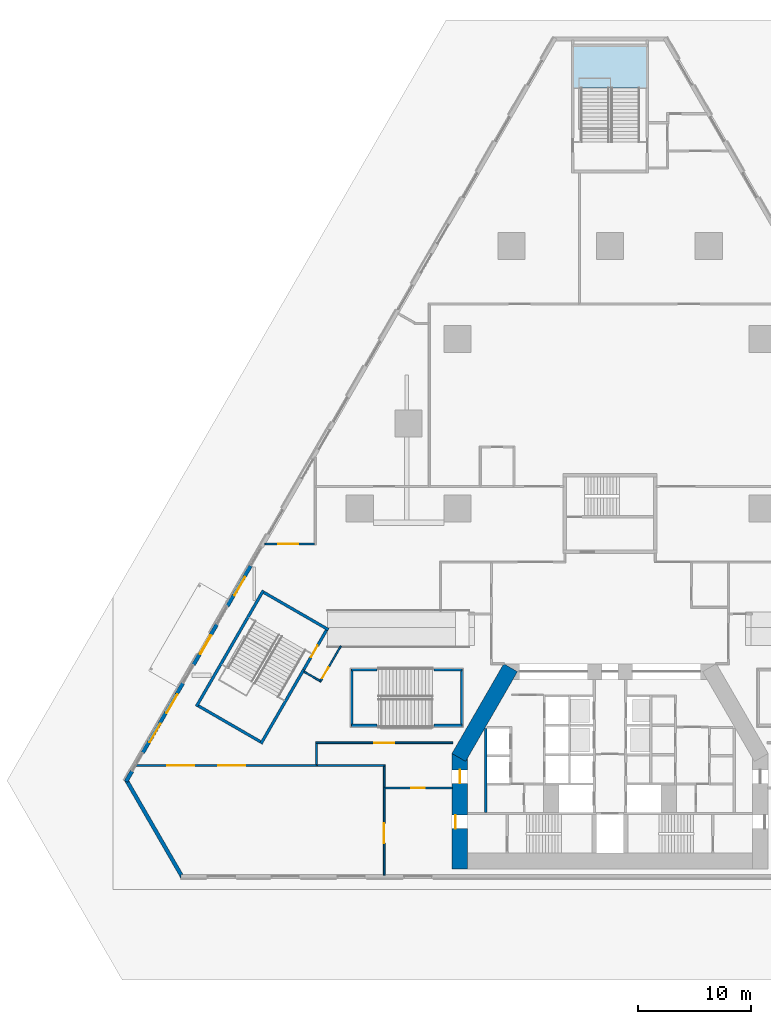
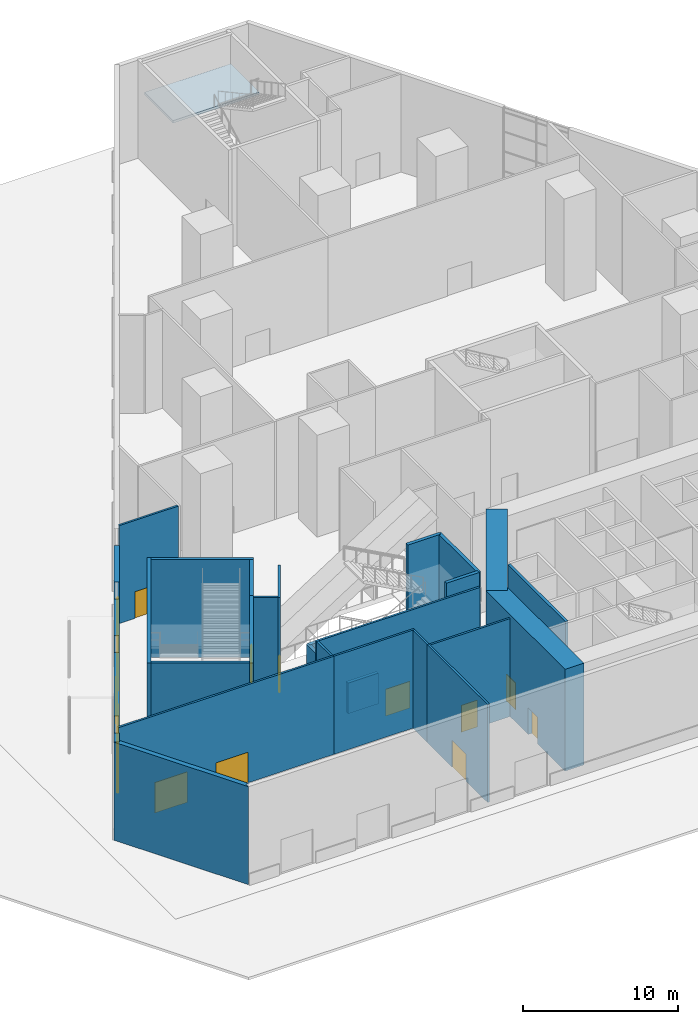
# One storey, part 11 of 24: 29 walls, 11 doors, 4 windows, 1 slab, 15 openings, 1 element without a shape of its own.
"""IFC4 building model written with IfcOpenShell, lengths in metres."""

from ifc_helpers import new_model, si_unit, direction, frame, frame_2d, origin, place, context, subcontext, project, spatial, polyline, rectangle, outline, extrude, material, layer, layer_set, type_object, element, fill, aggregate, save


model = new_model("IFC4")

# Units and contexts
model_context = context("Model", 3, precision=1e-05, world=origin(), true_north=direction((0.0, 1.0)))
body_context = subcontext(model_context, "Body", "Model", "MODEL_VIEW")
ifc_project = project(units=[si_unit("LENGTHUNIT", "METRE"), si_unit("AREAUNIT", "SQUARE_METRE"), si_unit("VOLUMEUNIT", "CUBIC_METRE"), si_unit("PLANEANGLEUNIT", "RADIAN"), si_unit("MASSUNIT", "GRAM", prefix="KILO")], contexts=[model_context])

# Site, building, storey
site_placement = place(None, origin())
site = spatial("IfcSite", under=ifc_project, at=site_placement, CompositionType="ELEMENT")
building_placement = place(site_placement, origin())
building = spatial("IfcBuilding", under=site, at=building_placement, Name="Fogline Exchange Tower", CompositionType="ELEMENT")
storey_placement = place(building_placement, origin())
storey = spatial("IfcBuildingStorey", under=building, at=storey_placement, Name="L00", CompositionType="ELEMENT", Elevation=0.0)

# Stair, slab
ifc_material_1 = material(Name="Concrete C40", Category="concrete")
stair_type = type_object("IfcStairType", Name="PSF0-46-1739", PredefinedType="HALF_TURN_STAIR", material=ifc_material_1)
stair_placement = place(storey_placement, origin())
stair = element("IfcStair", 1, at=stair_placement, inside=storey, type_object=stair_type, Name="Stair ST6", PredefinedType="HALF_TURN_STAIR")
ifc_layer_1 = layer(ifc_material_1, 0.199951171875)
ifc_layer_set_1 = layer_set([ifc_layer_1], Name="PSL1")
slab_type = type_object("IfcSlabType", Name="PSL1", PredefinedType="LANDING", material=ifc_layer_set_1)
slab_placement = place(storey_placement, frame((0.0, 0.0, 5.19140625)))
slab = element("IfcSlab", 2, at=slab_placement, type_object=slab_type, Name="ST6 landing 2", PredefinedType="LANDING", context=body_context, shape_type="SweptSolid", body=[
    extrude(outline(polyline([(-3.215087890625, 73.6650390625), (-3.215087890625, 69.98291015625), (3.215087890625, 69.98291015625), (3.215087890625, 73.6650390625), (-3.215087890625, 73.6650390625)])), origin(), (0.0, 0.0, 1.0), 0.199951171875),
])
aggregate(stair, [slab])

# Walls
ifc_layer_2 = layer(ifc_material_1, 0.199951171875)
ifc_layer_set_2 = layer_set([ifc_layer_2], Name="CW20")
wall_type_1 = type_object("IfcWallType", Name="CW20", PredefinedType="SOLIDWALL", material=ifc_layer_set_2)
wall_1_placement = place(storey_placement, frame((-11.0, 5.85009765625, 0.0), z_axis=(0.0, 0.0, 1.0), x_axis=(0.0, 1.0, 0.0)))
element("IfcWall", 3, at=wall_1_placement, inside=storey, type_object=wall_type_1, Name="Service room wall", PredefinedType="SOLIDWALL", context=body_context, shape_type="SweptSolid", body=[
    extrude(rectangle(XDim=7.39990234375, YDim=0.199951171875, at=frame_2d((3.699951171875, 0.0))), origin(), (0.0, 0.0, 1.0), 7.699951171875),
])
ifc_material_2 = material(Name="Brick masonry", Category="masonry")
ifc_layer_3 = layer(ifc_material_2, 0.340087890625)
ifc_layer_set_3 = layer_set([ifc_layer_3], Name="FW1")
wall_type_2 = type_object("IfcWallType", Name="FW1", PredefinedType="SOLIDWALL", material=ifc_layer_set_3)
wall_2_placement = place(storey_placement, origin())
element("IfcWall", 4, at=wall_2_placement, inside=storey, type_object=wall_type_2, Name="Brick wall L00 SW-c", PredefinedType="SOLIDWALL", context=body_context, shape_type="SweptSolid", body=[
    extrude(outline(polyline([(-43.000732421875, 8.661376953125), (-42.705810546875, 8.490966796875), (-42.607421875, 8.661376953125), (-37.802734375, 0.33935546875), (-37.99951171875, 0.33935546875), (-37.99951171875, -0.0009765625), (-38.0, -0.001220703125), (-43.0009765625, 8.660888671875), (-43.000732421875, 8.661376953125)])), origin(), (0.0, 0.0, 1.0), 7.699951171875),
])

# Wall, opening, window
wall_3_placement = place(storey_placement, frame((-31.823974609375, 27.677490234375, 0.0), z_axis=(0.0, 0.0, 1.0), x_axis=(-0.500044296292, -0.865999827798, 0.0)))
wall_3 = element("IfcWall", 5, at=wall_3_placement, inside=storey, type_object=wall_type_2, Name="Brick wall L00 W bay 2", PredefinedType="SOLIDWALL", context=body_context, shape_type="SweptSolid", body=[
    extrude(rectangle(XDim=4.114990234375, YDim=0.340087890625, at=frame_2d((2.0576171875, 0.0))), origin(), (0.0, 0.0, 1.0), 7.699951171875),
])
opening_1_placement = place(wall_3_placement, frame((1.114990234375, 0.0, 0.89990234375)))
opening_1 = element("IfcOpeningElement", 6, at=opening_1_placement, cuts=wall_3, Name="Opening W7", PredefinedType="OPENING", context=body_context, shape_type="SweptSolid", body=[
    extrude(rectangle(XDim=1.885009765625, YDim=3.5, at=frame_2d((0.9423828125, 1.75))), frame((0.0, 0.18017578125, 0.0), z_axis=(0.0, -1.0, 0.0), x_axis=(1.0, 0.0, 0.0)), (0.0, 0.0, 1.0), 0.360107421875),
])
ifc_material_3 = material(Name="Aluminium and glass", Category="aluminium")
window_type_1 = type_object("IfcWindowType", Name="W7", PartitioningType="SINGLE_PANEL", PredefinedType="WINDOW", material=ifc_material_3)
window_1_placement = place(opening_1_placement, origin())
window_1 = element("IfcWindow", 7, at=window_1_placement, inside=storey, type_object=window_type_1, Name="W7 W7", OverallHeight=3.5, OverallWidth=1.885009765625, PartitioningType="SINGLE_PANEL", PredefinedType="WINDOW", context=body_context, shape_type="SweptSolid", body=[
    extrude(rectangle(XDim=1.885009765625, YDim=3.5, at=frame_2d((0.9423828125, 1.75))), frame((0.0, 0.110107421875, 0.0), z_axis=(0.0, -1.0, 0.0), x_axis=(1.0, 0.0, 0.0)), (0.0, 0.0, 1.0), 0.06005859375),
])
fill(opening_1, window_1)

# Wall, openings, door, window
wall_4_placement = place(storey_placement, frame((-34.823974609375, 22.4814453125, 0.0), z_axis=(0.0, 0.0, 1.0), x_axis=(-0.500018604663, -0.866014662111, 0.0)))
wall_4 = element("IfcWall", 8, at=wall_4_placement, inside=storey, type_object=wall_type_2, Name="Brick wall L00 W bay 3", PredefinedType="SOLIDWALL", context=body_context, shape_type="SweptSolid", body=[
    extrude(rectangle(XDim=4.114990234375, YDim=0.340087890625, at=frame_2d((2.0576171875, 0.0))), origin(), (0.0, 0.0, 1.0), 7.699951171875),
])
opening_2_placement = place(wall_4_placement, frame((1.114990234375, 0.0, 0.0)))
opening_2 = element("IfcOpeningElement", 9, at=opening_2_placement, cuts=wall_4, Name="Opening P00-E058", PredefinedType="OPENING", context=body_context, shape_type="SweptSolid", body=[
    extrude(rectangle(XDim=1.885009765625, YDim=2.39990234375, at=frame_2d((0.9423828125, 1.199951171875))), frame((0.0, 0.18017578125, 0.0), z_axis=(0.0, -1.0, 0.0), x_axis=(1.0, 0.0, 0.0)), (0.0, 0.0, 1.0), 0.360107421875),
])
opening_3_placement = place(wall_4_placement, frame((1.114990234375, 0.0, 2.60009765625)))
opening_3 = element("IfcOpeningElement", 10, at=opening_3_placement, cuts=wall_4, Name="Opening W8", PredefinedType="OPENING", context=body_context, shape_type="SweptSolid", body=[
    extrude(rectangle(XDim=1.885009765625, YDim=4.800048828125, at=frame_2d((0.9423828125, 2.39990234375))), frame((0.0, 0.18017578125, 0.0), z_axis=(0.0, -1.0, 0.0), x_axis=(1.0, 0.0, 0.0)), (0.0, 0.0, 1.0), 0.360107421875),
])
door_type_1 = type_object("IfcDoorType", Name="ED1", OperationType="SINGLE_SWING_LEFT", PredefinedType="DOOR", material=ifc_material_3)
door_1_placement = place(opening_2_placement, frame((1.885009765625, 0.0, 0.0), z_axis=(0.0, 0.0, 1.0), x_axis=(-1.0, 0.0, 0.0)))
door_1 = element("IfcDoor", 11, at=door_1_placement, inside=storey, type_object=door_type_1, Name="Entrance door ST-W", OperationType="DOUBLE_DOOR_SINGLE_SWING", OverallHeight=2.39990234375, OverallWidth=1.885009765625, PredefinedType="DOOR", context=body_context, shape_type="SweptSolid", body=[
    extrude(rectangle(XDim=1.885009765625, YDim=2.39990234375, at=frame_2d((0.9423828125, 1.199951171875))), frame((0.0, 0.02490234375, 0.0), z_axis=(0.0, -1.0, 0.0), x_axis=(1.0, 0.0, 0.0)), (0.0, 0.0, 1.0), 0.050048828125),
])
fill(opening_2, door_1)
window_type_2 = type_object("IfcWindowType", Name="W8", PartitioningType="SINGLE_PANEL", PredefinedType="WINDOW", material=ifc_material_3)
window_2_placement = place(opening_3_placement, origin())
window_2 = element("IfcWindow", 12, at=window_2_placement, inside=storey, type_object=window_type_2, Name="W8 W8", OverallHeight=4.800048828125, OverallWidth=1.885009765625, PartitioningType="SINGLE_PANEL", PredefinedType="WINDOW", context=body_context, shape_type="SweptSolid", body=[
    extrude(rectangle(XDim=1.885009765625, YDim=4.800048828125, at=frame_2d((0.9423828125, 2.39990234375))), frame((0.0, 0.110107421875, 0.0), z_axis=(0.0, -1.0, 0.0), x_axis=(1.0, 0.0, 0.0)), (0.0, 0.0, 1.0), 0.06005859375),
])
fill(opening_3, window_2)

# Wall, openings, windows
wall_5_placement = place(storey_placement, frame((-37.823974609375, 17.285400390625, 0.0), z_axis=(0.0, 0.0, 1.0), x_axis=(-0.500006602356, -0.866021591879, 0.0)))
wall_5 = element("IfcWall", 13, at=wall_5_placement, inside=storey, type_object=wall_type_2, Name="Brick wall L00 W bay 4", PredefinedType="SOLIDWALL", context=body_context, shape_type="SweptSolid", body=[
    extrude(rectangle(XDim=7.115234375, YDim=0.340087890625, at=frame_2d((3.5576171875, 0.0))), origin(), (0.0, 0.0, 1.0), 7.699951171875),
])
opening_4_placement = place(wall_5_placement, frame((1.114990234375, 0.0, 0.89990234375)))
opening_4 = element("IfcOpeningElement", 14, at=opening_4_placement, cuts=wall_5, Name="Opening W7", PredefinedType="OPENING", context=body_context, shape_type="SweptSolid", body=[
    extrude(rectangle(XDim=1.885009765625, YDim=3.5, at=frame_2d((0.9423828125, 1.75))), frame((0.0, 0.18017578125, 0.0), z_axis=(0.0, -1.0, 0.0), x_axis=(1.0, 0.0, 0.0)), (0.0, 0.0, 1.0), 0.360107421875),
])
opening_5_placement = place(wall_5_placement, frame((4.114990234375, 0.0, 0.89990234375)))
opening_5 = element("IfcOpeningElement", 15, at=opening_5_placement, cuts=wall_5, Name="Opening W7", PredefinedType="OPENING", context=body_context, shape_type="SweptSolid", body=[
    extrude(rectangle(XDim=1.885009765625, YDim=3.5, at=frame_2d((0.9423828125, 1.75))), frame((0.0, 0.18017578125, 0.0), z_axis=(0.0, -1.0, 0.0), x_axis=(1.0, 0.0, 0.0)), (0.0, 0.0, 1.0), 0.360107421875),
])
window_3_placement = place(opening_4_placement, origin())
window_3 = element("IfcWindow", 16, at=window_3_placement, inside=storey, type_object=window_type_1, Name="W7 W7", OverallHeight=3.5, OverallWidth=1.885009765625, PartitioningType="SINGLE_PANEL", PredefinedType="WINDOW", context=body_context, shape_type="SweptSolid", body=[
    extrude(rectangle(XDim=1.885009765625, YDim=3.5, at=frame_2d((0.9423828125, 1.75))), frame((0.0, 0.110107421875, 0.0), z_axis=(0.0, -1.0, 0.0), x_axis=(1.0, 0.0, 0.0)), (0.0, 0.0, 1.0), 0.06005859375),
])
fill(opening_4, window_3)
window_4_placement = place(opening_5_placement, origin())
window_4 = element("IfcWindow", 17, at=window_4_placement, inside=storey, type_object=window_type_1, Name="W7 W7", OverallHeight=3.5, OverallWidth=1.885009765625, PartitioningType="SINGLE_PANEL", PredefinedType="WINDOW", context=body_context, shape_type="SweptSolid", body=[
    extrude(rectangle(XDim=1.885009765625, YDim=3.5, at=frame_2d((0.9423828125, 1.75))), frame((0.0, 0.110107421875, 0.0), z_axis=(0.0, -1.0, 0.0), x_axis=(1.0, 0.0, 0.0)), (0.0, 0.0, 1.0), 0.06005859375),
])
fill(opening_5, window_4)

# Wall
wall_6_placement = place(storey_placement, frame((-42.323974609375, 9.490966796875, 0.0), z_axis=(0.0, 0.0, 1.0), x_axis=(-0.500062184469, -0.865989498588, 0.0)))
element("IfcWall", 18, at=wall_6_placement, inside=storey, type_object=wall_type_2, Name="Brick wall L00 W bay 5", PredefinedType="SOLIDWALL", context=body_context, shape_type="SweptSolid", body=[
    extrude(rectangle(XDim=1.057373046875, YDim=0.340087890625, at=frame_2d((0.52880859375, 0.0))), origin(), (0.0, 0.0, 1.0), 7.699951171875),
])

# Wall, opening, door
ifc_material_4 = material(Name="Plasterboard on steel stud", Category="steel")
ifc_layer_4 = layer(ifc_material_4, 0.14990234375)
ifc_layer_set_4 = layer_set([ifc_layer_4], Name="PP1")
wall_type_3 = type_object("IfcWallType", Name="PP1", PredefinedType="PARTITIONING", material=ifc_layer_set_4)
wall_7_placement = place(storey_placement, frame((-19.925048828125, 8.0, 0.0), z_axis=(0.0, 0.0, 1.0), x_axis=(1.0, 0.0, 0.0)))
wall_7 = element("IfcWall", 19, at=wall_7_placement, inside=storey, type_object=wall_type_3, Name="PP1 partition", PredefinedType="PARTITIONING", context=body_context, shape_type="SweptSolid", body=[
    extrude(rectangle(XDim=5.969970703125, YDim=0.14990234375, at=frame_2d((2.98486328125, 0.0))), origin(), (0.0, 0.0, 1.0), 7.699951171875),
])
opening_6_placement = place(wall_7_placement, frame((2.324951171875, 0.0, 0.0)))
opening_6 = element("IfcOpeningElement", 20, at=opening_6_placement, cuts=wall_7, Name="Opening P00-D012", PredefinedType="OPENING", context=body_context, shape_type="SweptSolid", body=[
    extrude(rectangle(XDim=1.199951171875, YDim=2.10009765625, at=frame_2d((0.60009765625, 1.050048828125))), frame((0.0, 0.0849609375, 0.0), z_axis=(0.0, -1.0, 0.0), x_axis=(1.0, 0.0, 0.0)), (0.0, 0.0, 1.0), 0.169921875),
])
ifc_material_5 = material(Name="Steel Q235B", Category="steel")
door_type_2 = type_object("IfcDoorType", Name="PD7", OperationType="SINGLE_SWING_LEFT", PredefinedType="DOOR", material=ifc_material_5)
door_2_placement = place(opening_6_placement, origin())
door_2 = element("IfcDoor", 21, at=door_2_placement, inside=storey, type_object=door_type_2, Name="P00-D012", OperationType="SINGLE_SWING_LEFT", OverallHeight=2.10009765625, OverallWidth=1.199951171875, PredefinedType="DOOR", context=body_context, shape_type="SweptSolid", body=[
    extrude(rectangle(XDim=1.199951171875, YDim=2.10009765625, at=frame_2d((0.60009765625, 1.050048828125))), frame((0.0, 0.02490234375, 0.0), z_axis=(0.0, -1.0, 0.0), x_axis=(1.0, 0.0, 0.0)), (0.0, 0.0, 1.0), 0.050048828125),
])
fill(opening_6, door_2)

wall_8_placement = place(storey_placement, frame((-20.0, 8.074951171875, 0.0), z_axis=(0.0, 0.0, 1.0), x_axis=(0.0, -1.0, 0.0)))
wall_8 = element("IfcWall", 22, at=wall_8_placement, inside=storey, type_object=wall_type_3, Name="PP1 partition", PredefinedType="PARTITIONING", context=body_context, shape_type="SweptSolid", body=[
    extrude(rectangle(XDim=7.780029296875, YDim=0.14990234375, at=frame_2d((3.89013671875, 0.0))), origin(), (0.0, 0.0, 1.0), 7.699951171875),
])
opening_7_placement = place(wall_8_placement, frame((3.175048828125, 0.0, 0.0)))
opening_7 = element("IfcOpeningElement", 23, at=opening_7_placement, cuts=wall_8, Name="Opening P00-D010", PredefinedType="OPENING", context=body_context, shape_type="SweptSolid", body=[
    extrude(rectangle(XDim=1.800048828125, YDim=2.10009765625, at=frame_2d((0.89990234375, 1.050048828125))), frame((0.0, 0.0849609375, 0.0), z_axis=(0.0, -1.0, 0.0), x_axis=(1.0, 0.0, 0.0)), (0.0, 0.0, 1.0), 0.169921875),
])
ifc_material_6 = material(Name="Timber", Category="wood")
door_type_3 = type_object("IfcDoorType", Name="PD3", OperationType="DOUBLE_DOOR_SINGLE_SWING", PredefinedType="DOOR", material=ifc_material_6)
door_3_placement = place(opening_7_placement, origin())
door_3 = element("IfcDoor", 24, at=door_3_placement, inside=storey, type_object=door_type_3, Name="P00-D010", OperationType="DOUBLE_DOOR_SINGLE_SWING", OverallHeight=2.10009765625, OverallWidth=1.800048828125, PredefinedType="DOOR", context=body_context, shape_type="SweptSolid", body=[
    extrude(rectangle(XDim=1.800048828125, YDim=2.10009765625, at=frame_2d((0.89990234375, 1.050048828125))), frame((0.0, 0.02490234375, 0.0), z_axis=(0.0, -1.0, 0.0), x_axis=(1.0, 0.0, 0.0)), (0.0, 0.0, 1.0), 0.050048828125),
])
fill(opening_7, door_3)

# Wall
wall_9_placement = place(storey_placement, frame((-20.0, 9.925048828125, 0.0), z_axis=(0.0, 0.0, 1.0), x_axis=(0.0, -1.0, 0.0)))
element("IfcWall", 25, at=wall_9_placement, inside=storey, type_object=wall_type_3, Name="PP1 partition", PredefinedType="PARTITIONING", context=body_context, shape_type="SweptSolid", body=[
    extrude(rectangle(XDim=1.85009765625, YDim=0.14990234375, at=frame_2d((0.925048828125, 0.0))), origin(), (0.0, 0.0, 1.0), 7.699951171875),
])

# Wall, openings, doors
wall_10_placement = place(storey_placement, frame((-41.943603515625, 10.0, 0.0), z_axis=(0.0, 0.0, 1.0), x_axis=(1.0, 0.0, 0.0)))
wall_10 = element("IfcWall", 26, at=wall_10_placement, inside=storey, type_object=wall_type_3, Name="PP1 partition", PredefinedType="PARTITIONING", context=body_context, shape_type="SweptSolid", body=[
    extrude(rectangle(XDim=16.0185546875, YDim=0.14990234375, at=frame_2d((8.00927734375, 0.0))), origin(), (0.0, 0.0, 1.0), 7.699951171875),
])
opening_8_placement = place(wall_10_placement, frame((2.74365234375, 0.0, 0.0)))
opening_8 = element("IfcOpeningElement", 27, at=opening_8_placement, cuts=wall_10, Name="Opening P00-D014", PredefinedType="OPENING", context=body_context, shape_type="SweptSolid", body=[
    extrude(rectangle(XDim=2.39990234375, YDim=2.39990234375, at=frame_2d((1.199951171875, 1.199951171875))), frame((0.0, 0.0849609375, 0.0), z_axis=(0.0, -1.0, 0.0), x_axis=(1.0, 0.0, 0.0)), (0.0, 0.0, 1.0), 0.169921875),
])
opening_9_placement = place(wall_10_placement, frame((7.24365234375, 0.0, 0.0)))
opening_9 = element("IfcOpeningElement", 28, at=opening_9_placement, cuts=wall_10, Name="Opening P00-D015", PredefinedType="OPENING", context=body_context, shape_type="SweptSolid", body=[
    extrude(rectangle(XDim=2.39990234375, YDim=2.39990234375, at=frame_2d((1.199951171875, 1.199951171875))), frame((0.0, 0.0849609375, 0.0), z_axis=(0.0, -1.0, 0.0), x_axis=(1.0, 0.0, 0.0)), (0.0, 0.0, 1.0), 0.169921875),
])
ifc_material_7 = material(Name="Glass", Category="glass")
door_type_4 = type_object("IfcDoorType", Name="PD4", OperationType="DOUBLE_DOOR_SLIDING", PredefinedType="DOOR", material=ifc_material_7)
door_4_placement = place(opening_8_placement, origin())
door_4 = element("IfcDoor", 29, at=door_4_placement, inside=storey, type_object=door_type_4, Name="P00-D014", OperationType="DOUBLE_DOOR_SLIDING", OverallHeight=2.39990234375, OverallWidth=2.39990234375, PredefinedType="DOOR", context=body_context, shape_type="SweptSolid", body=[
    extrude(rectangle(XDim=2.39990234375, YDim=2.39990234375, at=frame_2d((1.199951171875, 1.199951171875))), frame((0.0, 0.02490234375, 0.0), z_axis=(0.0, -1.0, 0.0), x_axis=(1.0, 0.0, 0.0)), (0.0, 0.0, 1.0), 0.050048828125),
])
fill(opening_8, door_4)
door_5_placement = place(opening_9_placement, origin())
door_5 = element("IfcDoor", 30, at=door_5_placement, inside=storey, type_object=door_type_4, Name="P00-D015", OperationType="DOUBLE_DOOR_SLIDING", OverallHeight=2.39990234375, OverallWidth=2.39990234375, PredefinedType="DOOR", context=body_context, shape_type="SweptSolid", body=[
    extrude(rectangle(XDim=2.39990234375, YDim=2.39990234375, at=frame_2d((1.199951171875, 1.199951171875))), frame((0.0, 0.02490234375, 0.0), z_axis=(0.0, -1.0, 0.0), x_axis=(1.0, 0.0, 0.0)), (0.0, 0.0, 1.0), 0.050048828125),
])
fill(opening_9, door_5)

# Walls
wall_11_placement = place(storey_placement, frame((-25.925048828125, 10.0, 0.0), z_axis=(0.0, 0.0, 1.0), x_axis=(1.0, 0.0, 0.0)))
element("IfcWall", 31, at=wall_11_placement, inside=storey, type_object=wall_type_3, Name="PP1 partition", PredefinedType="PARTITIONING", context=body_context, shape_type="SweptSolid", body=[
    extrude(rectangle(XDim=6.0, YDim=0.14990234375, at=frame_2d((3.0, 0.0))), origin(), (0.0, 0.0, 1.0), 7.699951171875),
])
wall_12_placement = place(storey_placement, frame((-26.0, 10.074951171875, 0.0), z_axis=(0.0, 0.0, 1.0), x_axis=(0.0, 1.0, 0.0)))
element("IfcWall", 32, at=wall_12_placement, inside=storey, type_object=wall_type_3, Name="PP1 partition", PredefinedType="PARTITIONING", context=body_context, shape_type="SweptSolid", body=[
    extrude(rectangle(XDim=1.85009765625, YDim=0.14990234375, at=frame_2d((0.925048828125, 0.0))), origin(), (0.0, 0.0, 1.0), 7.699951171875),
])

# Wall, opening, door
wall_13_placement = place(storey_placement, frame((-26.074951171875, 12.0, 0.0), z_axis=(0.0, 0.0, 1.0), x_axis=(1.0, 0.0, 0.0)))
wall_13 = element("IfcWall", 33, at=wall_13_placement, inside=storey, type_object=wall_type_3, Name="PP1 partition", PredefinedType="PARTITIONING", context=body_context, shape_type="SweptSolid", body=[
    extrude(rectangle(XDim=12.14990234375, YDim=0.14990234375, at=frame_2d((6.074951171875, 0.0))), origin(), (0.0, 0.0, 1.0), 7.699951171875),
])
opening_10_placement = place(wall_13_placement, frame((5.175048828125, 0.0, 0.0)))
opening_10 = element("IfcOpeningElement", 34, at=opening_10_placement, cuts=wall_13, Name="Opening P00-D018", PredefinedType="OPENING", context=body_context, shape_type="SweptSolid", body=[
    extrude(rectangle(XDim=1.800048828125, YDim=2.10009765625, at=frame_2d((0.89990234375, 1.050048828125))), frame((0.0, 0.0849609375, 0.0), z_axis=(0.0, -1.0, 0.0), x_axis=(1.0, 0.0, 0.0)), (0.0, 0.0, 1.0), 0.169921875),
])
door_6_placement = place(opening_10_placement, frame((1.800048828125, 0.0, 0.0), z_axis=(0.0, 0.0, 1.0), x_axis=(-1.0, 0.0, 0.0)))
door_6 = element("IfcDoor", 35, at=door_6_placement, inside=storey, type_object=door_type_3, Name="P00-D018", OperationType="DOUBLE_DOOR_SINGLE_SWING", OverallHeight=2.10009765625, OverallWidth=1.800048828125, PredefinedType="DOOR", context=body_context, shape_type="SweptSolid", body=[
    extrude(rectangle(XDim=1.800048828125, YDim=2.10009765625, at=frame_2d((0.89990234375, 1.050048828125))), frame((0.0, 0.02490234375, 0.0), z_axis=(0.0, -1.0, 0.0), x_axis=(1.0, 0.0, 0.0)), (0.0, 0.0, 1.0), 0.050048828125),
])
fill(opening_10, door_6)

# Wall
wall_14_placement = place(storey_placement, frame((-25.70068359375, 17.494384765625, 0.0), z_axis=(0.0, 0.0, 1.0), x_axis=(-0.866066190972, 0.499929347863, 0.0)))
element("IfcWall", 36, at=wall_14_placement, inside=storey, type_object=wall_type_3, Name="PP1 partition", PredefinedType="PARTITIONING", context=body_context, shape_type="SweptSolid", body=[
    extrude(rectangle(XDim=1.600341796875, YDim=0.14990234375, at=frame_2d((0.80029296875, 0.0))), origin(), (0.0, 0.0, 1.0), 7.699951171875),
])

# Wall, opening, door
wall_15_placement = place(storey_placement, frame((-23.84130859375, 20.56494140625, 0.0), z_axis=(0.0, 0.0, 1.0), x_axis=(-0.499958946799, -0.866049104564, 0.0)))
wall_15 = element("IfcWall", 37, at=wall_15_placement, inside=storey, type_object=wall_type_3, Name="PP1 partition", PredefinedType="PARTITIONING", context=body_context, shape_type="SweptSolid", body=[
    extrude(rectangle(XDim=3.663818359375, YDim=0.14990234375, at=frame_2d((1.83203125, 0.0))), origin(), (0.0, 0.0, 1.0), 7.699951171875),
])
opening_11_placement = place(wall_15_placement, frame((2.181884765625, 0.0, 0.0)))
opening_11 = element("IfcOpeningElement", 38, at=opening_11_placement, cuts=wall_15, Name="Opening P00-D003", PredefinedType="OPENING", context=body_context, shape_type="SweptSolid", body=[
    extrude(rectangle(XDim=1.10009765625, YDim=2.10009765625, at=frame_2d((0.550048828125, 1.050048828125))), frame((0.0, 0.0849609375, 0.0), z_axis=(0.0, -1.0, 0.0), x_axis=(1.0, 0.0, 0.0)), (0.0, 0.0, 1.0), 0.169921875),
])
door_type_5 = type_object("IfcDoorType", Name="PD5", OperationType="SINGLE_SWING_LEFT", PredefinedType="DOOR", material=ifc_material_5)
door_7_placement = place(opening_11_placement, origin())
door_7 = element("IfcDoor", 39, at=door_7_placement, inside=storey, type_object=door_type_5, Name="P00-D003", OperationType="SINGLE_SWING_RIGHT", OverallHeight=2.10009765625, OverallWidth=1.10009765625, PredefinedType="DOOR", context=body_context, shape_type="SweptSolid", body=[
    extrude(rectangle(XDim=1.10009765625, YDim=2.10009765625, at=frame_2d((0.550048828125, 1.050048828125))), frame((0.0, 0.02490234375, 0.0), z_axis=(0.0, -1.0, 0.0), x_axis=(1.0, 0.0, 0.0)), (0.0, 0.0, 1.0), 0.050048828125),
])
fill(opening_11, door_7)

wall_16_placement = place(storey_placement, frame((-26.175048828125, 29.60009765625, 0.0), z_axis=(0.0, 0.0, 1.0), x_axis=(-1.0, 0.0, 0.0)))
wall_16 = element("IfcWall", 40, at=wall_16_placement, inside=storey, type_object=wall_type_3, Name="PP1 partition", PredefinedType="PARTITIONING", context=body_context, shape_type="SweptSolid", body=[
    extrude(rectangle(XDim=4.383056640625, YDim=0.14990234375, at=frame_2d((2.19140625, 0.0))), origin(), (0.0, 0.0, 1.0), 7.699951171875),
])
opening_12_placement = place(wall_16_placement, frame((1.425048828125, 0.0, 0.0)))
opening_12 = element("IfcOpeningElement", 41, at=opening_12_placement, cuts=wall_16, Name="Opening P00-D035", PredefinedType="OPENING", context=body_context, shape_type="SweptSolid", body=[
    extrude(rectangle(XDim=1.800048828125, YDim=2.10009765625, at=frame_2d((0.89990234375, 1.050048828125))), frame((0.0, 0.0849609375, 0.0), z_axis=(0.0, -1.0, 0.0), x_axis=(1.0, 0.0, 0.0)), (0.0, 0.0, 1.0), 0.169921875),
])
door_8_placement = place(opening_12_placement, frame((1.800048828125, 0.0, 0.0), z_axis=(0.0, 0.0, 1.0), x_axis=(-1.0, 0.0, 0.0)))
door_8 = element("IfcDoor", 42, at=door_8_placement, inside=storey, type_object=door_type_3, Name="P00-D035", OperationType="DOUBLE_DOOR_SINGLE_SWING", OverallHeight=2.10009765625, OverallWidth=1.800048828125, PredefinedType="DOOR", context=body_context, shape_type="SweptSolid", body=[
    extrude(rectangle(XDim=1.800048828125, YDim=2.10009765625, at=frame_2d((0.89990234375, 1.050048828125))), frame((0.0, 0.02490234375, 0.0), z_axis=(0.0, -1.0, 0.0), x_axis=(1.0, 0.0, 0.0)), (0.0, 0.0, 1.0), 0.050048828125),
])
fill(opening_12, door_8)

# Walls
ifc_layer_5 = layer(ifc_material_1, 0.25)
ifc_layer_set_5 = layer_set([ifc_layer_5], Name="PP3")
wall_type_4 = type_object("IfcWallType", Name="PP3", PredefinedType="SOLIDWALL", material=ifc_layer_set_5)
wall_17_placement = place(storey_placement, frame((-30.95263671875, 12.097412109375, 0.0), z_axis=(0.0, 0.0, 1.0), x_axis=(-0.866038968831, 0.499976503915, 0.0)))
element("IfcWall", 43, at=wall_17_placement, inside=storey, type_object=wall_type_4, Name="PP3 bearing wall", PredefinedType="SOLIDWALL", context=body_context, shape_type="SweptSolid", body=[
    extrude(rectangle(XDim=6.349853515625, YDim=0.25, at=frame_2d((3.1748046875, 0.0))), origin(), (0.0, 0.0, 1.0), 7.699951171875),
])
wall_18_placement = place(storey_placement, frame((-36.622802734375, 15.226318359375, 0.0), z_axis=(0.0, 0.0, 1.0), x_axis=(0.499976885332, 0.866038748633, 0.0)))
element("IfcWall", 44, at=wall_18_placement, inside=storey, type_object=wall_type_4, Name="PP3 bearing wall", PredefinedType="SOLIDWALL", context=body_context, shape_type="SweptSolid", body=[
    extrude(rectangle(XDim=11.85009765625, YDim=0.25, at=frame_2d((5.925048828125, 0.0))), origin(), (0.0, 0.0, 1.0), 7.699951171875),
])
wall_19_placement = place(storey_placement, frame((-27.132080078125, 18.465087890625, 0.0), z_axis=(0.0, 0.0, 1.0), x_axis=(-0.499985572004, -0.866033733632, 0.0)))
element("IfcWall", 45, at=wall_19_placement, inside=storey, type_object=wall_type_4, Name="PP3 bearing wall", PredefinedType="SOLIDWALL", context=body_context, shape_type="SweptSolid", body=[
    extrude(rectangle(XDim=7.550048828125, YDim=0.25, at=frame_2d((3.77490234375, 0.0))), origin(), (0.0, 0.0, 1.0), 7.699951171875),
])

# Wall, opening, door
wall_20_placement = place(storey_placement, frame((-25.107177734375, 21.972412109375, 0.0), z_axis=(0.0, 0.0, 1.0), x_axis=(-0.499971214291, -0.866042022584, 0.0)))
wall_20 = element("IfcWall", 46, at=wall_20_placement, inside=storey, type_object=wall_type_4, Name="PP3 bearing wall", PredefinedType="SOLIDWALL", context=body_context, shape_type="SweptSolid", body=[
    extrude(rectangle(XDim=4.049560546875, YDim=0.25, at=frame_2d((2.02490234375, 0.0))), origin(), (0.0, 0.0, 1.0), 7.699951171875),
])
opening_13_placement = place(wall_20_placement, frame((1.574951171875, 0.0, 0.0)))
opening_13 = element("IfcOpeningElement", 47, at=opening_13_placement, cuts=wall_20, Name="Opening P00-D002", PredefinedType="OPENING", context=body_context, shape_type="SweptSolid", body=[
    extrude(rectangle(XDim=1.199951171875, YDim=2.10009765625, at=frame_2d((0.60009765625, 1.050048828125))), frame((0.0, 0.135009765625, 0.0), z_axis=(0.0, -1.0, 0.0), x_axis=(1.0, 0.0, 0.0)), (0.0, 0.0, 1.0), 0.27001953125),
])
door_9_placement = place(opening_13_placement, origin())
door_9 = element("IfcDoor", 48, at=door_9_placement, inside=storey, type_object=door_type_2, Name="P00-D002", OperationType="SINGLE_SWING_RIGHT", OverallHeight=2.10009765625, OverallWidth=1.199951171875, PredefinedType="DOOR", context=body_context, shape_type="SweptSolid", body=[
    extrude(rectangle(XDim=1.199951171875, YDim=2.10009765625, at=frame_2d((0.60009765625, 1.050048828125))), frame((0.0, 0.02490234375, 0.0), z_axis=(0.0, -1.0, 0.0), x_axis=(1.0, 0.0, 0.0)), (0.0, 0.0, 1.0), 0.050048828125),
])
fill(opening_13, door_9)

# Walls
wall_21_placement = place(storey_placement, frame((-30.65234375, 25.318115234375, 0.0), z_axis=(0.0, 0.0, 1.0), x_axis=(0.866049458236, -0.499958334153, 0.0)))
element("IfcWall", 49, at=wall_21_placement, inside=storey, type_object=wall_type_4, Name="PP3 bearing wall", PredefinedType="SOLIDWALL", context=body_context, shape_type="SweptSolid", body=[
    extrude(rectangle(XDim=6.60009765625, YDim=0.25, at=frame_2d((3.300048828125, 0.0))), origin(), (0.0, 0.0, 1.0), 7.699951171875),
])
ifc_layer_6 = layer(ifc_material_1, 0.25)
ifc_layer_set_6 = layer_set([ifc_layer_6], Name="PP6")
wall_type_5 = type_object("IfcWallType", Name="PP6", PredefinedType="SOLIDWALL", material=ifc_layer_set_6)
wall_22_placement = place(storey_placement, frame((-22.875, 13.449951171875, 0.0), z_axis=(0.0, 0.0, 1.0), x_axis=(0.0, 1.0, 0.0)))
element("IfcWall", 50, at=wall_22_placement, inside=storey, type_object=wall_type_5, Name="PP6 bearing wall", PredefinedType="SOLIDWALL", context=body_context, shape_type="SweptSolid", body=[
    extrude(rectangle(XDim=5.10009765625, YDim=0.25, at=frame_2d((2.550048828125, 0.0))), origin(), (0.0, 0.0, 1.0), 2.40869140625),
])
for number, where, z_axis, x_axis, name in (
    (51, (-22.875, 13.52490234375, 0.0), (0.0, 0.0, 1.0), (1.0, 0.0, 0.0), "PP6 bearing wall"),
    (52, (-22.875, 18.47509765625, 0.0), (0.0, 0.0, 1.0), (1.0, 0.0, 0.0), "PP6 bearing wall"),
):
    element("IfcWall", number, at=place(storey_placement, frame(where, z_axis=z_axis, x_axis=x_axis)), inside=storey, type_object=wall_type_5, Name=name, PredefinedType="SOLIDWALL", context=body_context, shape_type="SweptSolid", body=[
        extrude(rectangle(XDim=2.25, YDim=0.25, at=frame_2d((1.125, 0.0))), origin(), (0.0, 0.0, 1.0), 2.40869140625),
    ])
wall_23_placement = place(storey_placement, frame((-13.125, 13.449951171875, 0.0), z_axis=(0.0, 0.0, 1.0), x_axis=(0.0, 1.0, 0.0)))
element("IfcWall", 53, at=wall_23_placement, inside=storey, type_object=wall_type_5, Name="PP6 bearing wall", PredefinedType="SOLIDWALL", context=body_context, shape_type="SweptSolid", body=[
    extrude(rectangle(XDim=5.10009765625, YDim=0.25, at=frame_2d((2.550048828125, 0.0))), origin(), (0.0, 0.0, 1.0), 7.699951171875),
])
for number, where, z_axis, x_axis, name in (
    (54, (-13.125, 13.52490234375, 0.0), (0.0, 0.0, 1.0), (-1.0, 0.0, 0.0), "PP6 bearing wall"),
    (55, (-13.125, 18.47509765625, 0.0), (0.0, 0.0, 1.0), (-1.0, 0.0, 0.0), "PP6 bearing wall"),
):
    element("IfcWall", number, at=place(storey_placement, frame(where, z_axis=z_axis, x_axis=x_axis)), inside=storey, type_object=wall_type_5, Name=name, PredefinedType="SOLIDWALL", context=body_context, shape_type="SweptSolid", body=[
        extrude(rectangle(XDim=2.449951171875, YDim=0.25, at=frame_2d((1.22509765625, 0.0))), origin(), (0.0, 0.0, 1.0), 7.699951171875),
    ])
ifc_material_8 = material(Name="Concrete C60", Category="concrete")
ifc_layer_7 = layer(ifc_material_8, 1.39990234375)
ifc_layer_set_7 = layer_set([ifc_layer_7], Name="SW01")
wall_type_6 = type_object("IfcWallType", Name="SW01", PredefinedType="SHEAR", material=ifc_layer_set_7)
wall_24_placement = place(storey_placement, frame((-8.805419921875, 18.64990234375, 0.0), z_axis=(0.0, 0.0, 1.0), x_axis=(-0.50000187635, -0.866024320471, 0.0)))
element("IfcWall", 56, at=wall_24_placement, inside=storey, type_object=wall_type_6, Name="L00-W905", PredefinedType="SHEAR", context=body_context, shape_type="SweptSolid", body=[
    extrude(rectangle(XDim=9.1767578125, YDim=1.39990234375, at=frame_2d((4.58837890625, 0.0))), origin(), (0.0, 0.0, 1.0), 8.0),
])

# Wall, openings, doors
wall_25_placement = place(storey_placement, frame((-13.300048828125, 11.052490234375, 0.0), z_axis=(0.0, 0.0, 1.0), x_axis=(0.0, -1.0, 0.0)))
wall_25 = element("IfcWall", 57, at=wall_25_placement, inside=storey, type_object=wall_type_6, Name="L00-W906", PredefinedType="SHEAR", context=body_context, shape_type="SweptSolid", body=[
    extrude(rectangle(XDim=10.202392578125, YDim=1.39990234375, at=frame_2d((5.10107421875, 0.0))), origin(), (0.0, 0.0, 1.0), 8.0),
])
opening_14_placement = place(wall_25_placement, frame((5.45263671875, 0.0, 0.0)))
opening_14 = element("IfcOpeningElement", 58, at=opening_14_placement, cuts=wall_25, Name="Opening P00-C010", PredefinedType="OPENING", context=body_context, shape_type="SweptSolid", body=[
    extrude(rectangle(XDim=1.199951171875, YDim=2.10009765625, at=frame_2d((0.60009765625, 1.050048828125))), frame((0.0, 0.7099609375, 0.0), z_axis=(0.0, -1.0, 0.0), x_axis=(1.0, 0.0, 0.0)), (0.0, 0.0, 1.0), 1.419921875),
])
opening_15_placement = place(wall_25_placement, frame((1.45263671875, 0.0, 0.0)))
opening_15 = element("IfcOpeningElement", 59, at=opening_15_placement, cuts=wall_25, Name="Opening P00-C012", PredefinedType="OPENING", context=body_context, shape_type="SweptSolid", body=[
    extrude(rectangle(XDim=1.199951171875, YDim=2.10009765625, at=frame_2d((0.60009765625, 1.050048828125))), frame((0.0, 0.7099609375, 0.0), z_axis=(0.0, -1.0, 0.0), x_axis=(1.0, 0.0, 0.0)), (0.0, 0.0, 1.0), 1.419921875),
])
ifc_material_9 = material(Name="Steel and timber fire door", Category="steel")
door_type_6 = type_object("IfcDoorType", Name="D-FR1", OperationType="SINGLE_SWING_RIGHT", PredefinedType="DOOR", material=ifc_material_9)
door_10_placement = place(opening_14_placement, frame((1.199951171875, 0.0, 0.0), z_axis=(0.0, 0.0, 1.0), x_axis=(-1.0, 0.0, 0.0)))
door_10 = element("IfcDoor", 60, at=door_10_placement, inside=storey, type_object=door_type_6, Name="Front room door ST1", OperationType="SINGLE_SWING_LEFT", OverallHeight=2.10009765625, OverallWidth=1.199951171875, PredefinedType="DOOR", context=body_context, shape_type="SweptSolid", body=[
    extrude(rectangle(XDim=1.199951171875, YDim=2.10009765625, at=frame_2d((0.60009765625, 1.050048828125))), frame((0.0, 0.4248046875, 0.0), z_axis=(0.0, -1.0, 0.0), x_axis=(1.0, 0.0, 0.0)), (0.0, 0.0, 1.0), 0.050048828125),
])
fill(opening_14, door_10)
door_type_7 = type_object("IfcDoorType", Name="D-SV1", OperationType="SINGLE_SWING_LEFT", PredefinedType="DOOR", material=ifc_material_9)
door_11_placement = place(opening_15_placement, origin())
door_11 = element("IfcDoor", 61, at=door_11_placement, inside=storey, type_object=door_type_7, Name="Service door W", OperationType="SINGLE_SWING_LEFT", OverallHeight=2.10009765625, OverallWidth=1.199951171875, PredefinedType="DOOR", context=body_context, shape_type="SweptSolid", body=[
    extrude(rectangle(XDim=1.199951171875, YDim=2.10009765625, at=frame_2d((0.60009765625, 1.050048828125))), frame((0.0, 0.02490234375, 0.0), z_axis=(0.0, -1.0, 0.0), x_axis=(1.0, 0.0, 0.0)), (0.0, 0.0, 1.0), 0.050048828125),
])
fill(opening_15, door_11)

save(model, "model.ifc")
